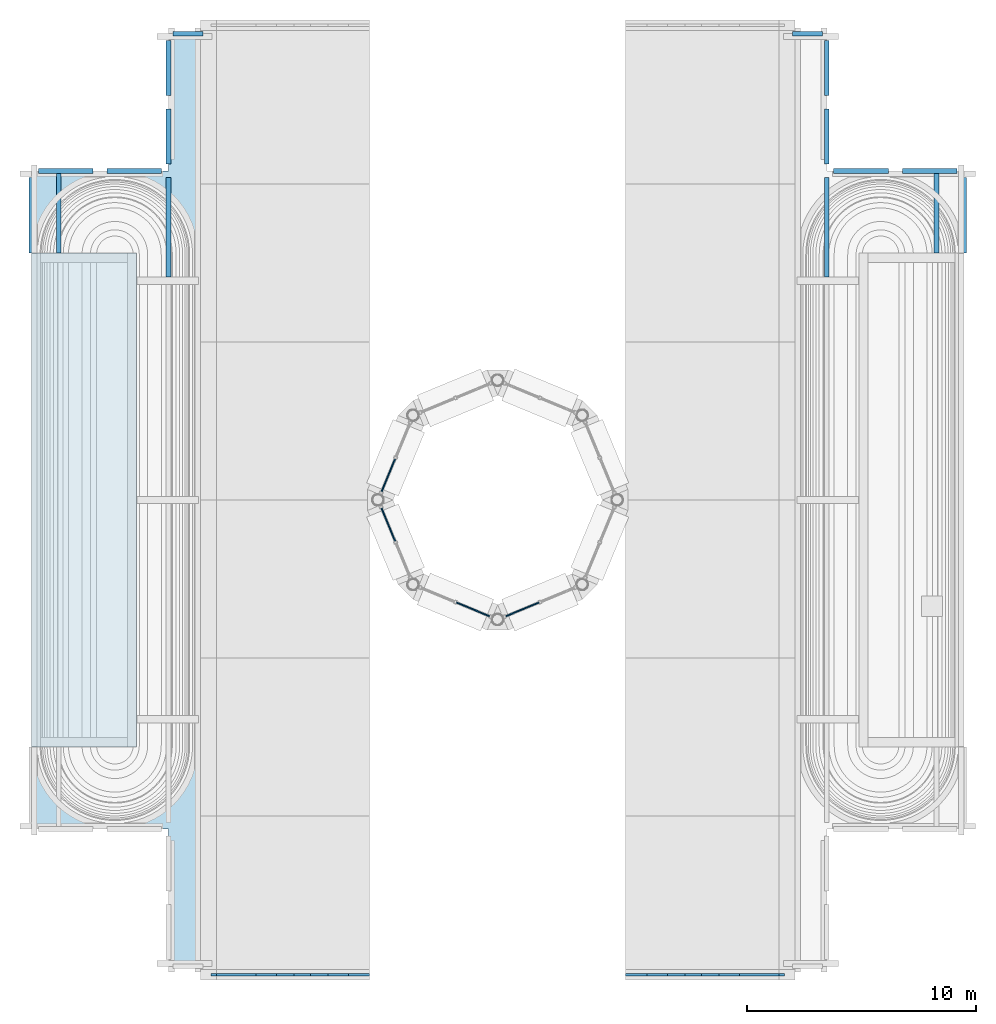
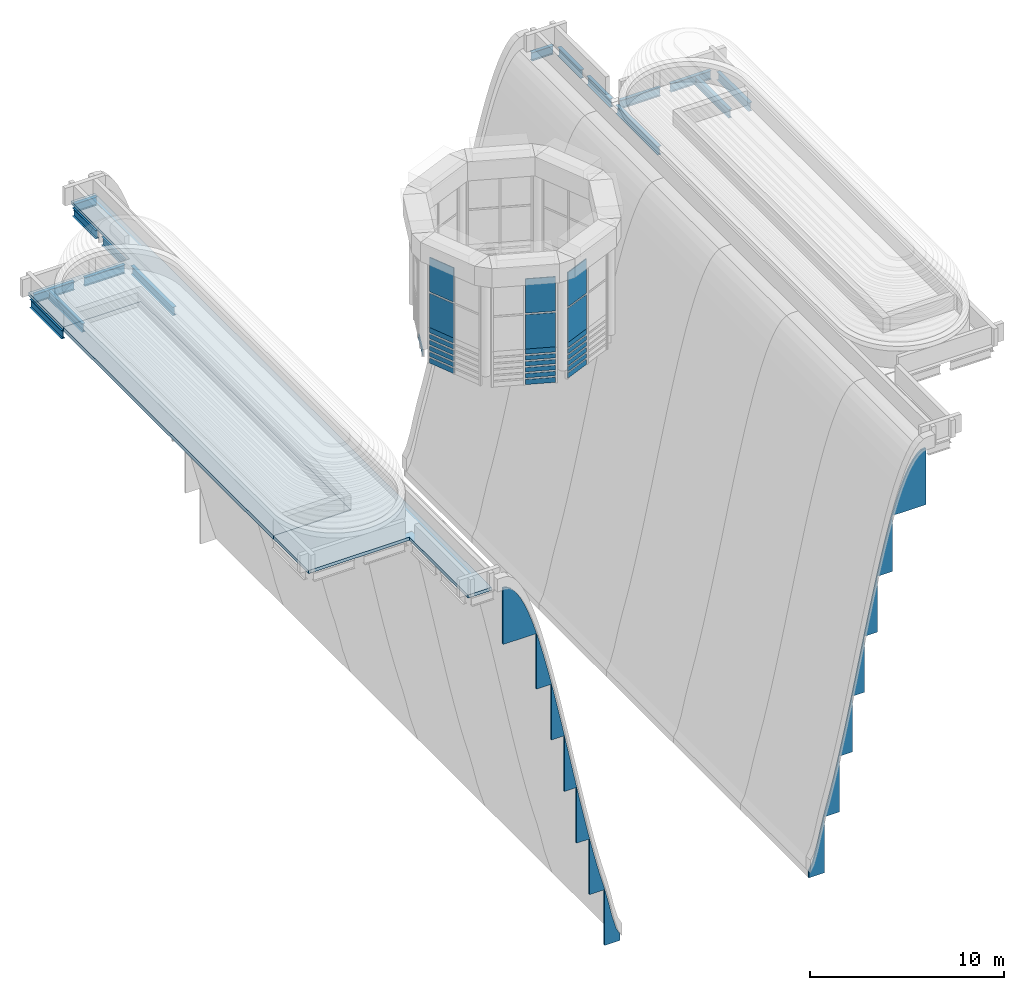
# One storey, part 4 of 14: 39 plates, 16 beams, 2 slabs, 7 elements without a shape of their own.
"""IFC4 building model written with IfcOpenShell, lengths in metres."""

from ifc_helpers import new_model, si_unit, direction, frame, origin, origin_2d, place, context, subcontext, project, spatial, polyline, rectangle, i_section, outline, extrude, material, layer, layer_set, material_profile, profile_set, type_object, element, aggregate, save


model = new_model("IFC4")

# Units and contexts
model_context = context("Model", 3, precision=1e-05, world=origin(), true_north=direction((0.0, 1.0)))
body_context = subcontext(model_context, "Body", "Model", "MODEL_VIEW")
ifc_project = project(units=[si_unit("LENGTHUNIT", "METRE"), si_unit("AREAUNIT", "SQUARE_METRE"), si_unit("VOLUMEUNIT", "CUBIC_METRE"), si_unit("PLANEANGLEUNIT", "RADIAN"), si_unit("MASSUNIT", "GRAM", prefix="KILO")], contexts=[model_context])

# Site, building, storey
site_placement = place(None, origin())
site = spatial("IfcSite", under=ifc_project, at=site_placement, CompositionType="ELEMENT")
building_placement = place(site_placement, origin())
building = spatial("IfcBuilding", under=site, at=building_placement, Name="Cobrizo Arcos Hotel Tower", CompositionType="ELEMENT")
storey_placement = place(building_placement, frame((0.0, 0.0, 290.0)))
storey = spatial("IfcBuildingStorey", under=building, at=storey_placement, Name="RF", CompositionType="ELEMENT", Elevation=290.0)

# Beams
ifc_material_1 = material(Name="Steel ASTM A992 Grade 50", Category="steel")
ifc_material_profile_1 = material_profile(ifc_material_1, i_section(OverallWidth=0.209228515625, OverallDepth=0.533447265625, WebThickness=0.01025390625, FlangeThickness=0.015625, at=origin_2d()), Name="W21X62")
ifc_profile_set_1 = profile_set([ifc_material_profile_1], Name="Steel ASTM A992 Grade 50")
beam_type_1 = type_object("IfcBeamType", Name="W21X62 joist", PredefinedType="JOIST", material=ifc_profile_set_1)
beam_1_placement = place(storey_placement, frame((-19.199951171875, 10.81005859375, -0.466796875), z_axis=(0.0, 1.0, 0.0), x_axis=(-1.0, 0.0, 0.0)))
element("IfcBeam", 1, at=beam_1_placement, inside=storey, type_object=beam_type_1, Name="Floor joist J1, RF, no. 002", PredefinedType="JOIST", context=body_context, shape_type="SweptSolid", body=[
    extrude(i_section(OverallWidth=0.209228515625, OverallDepth=0.533447265625, WebThickness=0.01025390625, FlangeThickness=0.015625, at=origin_2d()), origin(), (0.0, 0.0, 1.0), 3.5),
])
for number, where, z_axis, x_axis, name in (
    (2, (-14.39990234375, 9.763916015625, -0.466796875), (0.0, 1.0, 0.0), (-1.0, 0.0, 0.0), "Floor joist J1, RF, no. 006"),
    (3, (14.39990234375, 9.763916015625, -0.466796875), (0.0, 1.0, 0.0), (-1.0, 0.0, 0.0), "Floor joist J1, RF, no. 010"),
):
    element("IfcBeam", number, at=place(storey_placement, frame(where, z_axis=z_axis, x_axis=x_axis)), inside=storey, type_object=beam_type_1, Name=name, PredefinedType="JOIST", context=body_context, shape_type="SweptSolid", body=[
        extrude(i_section(OverallWidth=0.209228515625, OverallDepth=0.533447265625, WebThickness=0.01025390625, FlangeThickness=0.015625, at=origin_2d()), origin(), (0.0, 0.0, 1.0), 4.336181640625),
    ])
beam_2_placement = place(storey_placement, frame((19.199951171875, 10.81005859375, -0.466796875), z_axis=(0.0, 1.0, 0.0), x_axis=(-1.0, 0.0, 0.0)))
element("IfcBeam", 4, at=beam_2_placement, inside=storey, type_object=beam_type_1, Name="Floor joist J1, RF, no. 012", PredefinedType="JOIST", context=body_context, shape_type="SweptSolid", body=[
    extrude(i_section(OverallWidth=0.209228515625, OverallDepth=0.533447265625, WebThickness=0.01025390625, FlangeThickness=0.015625, at=origin_2d()), origin(), (0.0, 0.0, 1.0), 3.5),
])
ifc_material_profile_2 = material_profile(ifc_material_1, i_section(OverallWidth=0.209228515625, OverallDepth=0.533447265625, WebThickness=0.01025390625, FlangeThickness=0.015625, at=origin_2d()), Name="W21X62")
ifc_profile_set_2 = profile_set([ifc_material_profile_2], Name="Steel ASTM A992 Grade 50")
beam_type_2 = type_object("IfcBeamType", Name="W21X62 spandrel", PredefinedType="SPANDREL", material=ifc_profile_set_2)
beam_3_placement = place(storey_placement, frame((-20.39990234375, 10.81005859375, -0.466796875), z_axis=(0.0, 1.0, 0.0), x_axis=(-1.0, 0.0, 0.0)))
element("IfcBeam", 5, at=beam_3_placement, inside=storey, type_object=beam_type_2, Name="Spandrel beam W21X62, RF, no. 004", PredefinedType="SPANDREL", context=body_context, shape_type="SweptSolid", body=[
    extrude(i_section(OverallWidth=0.209228515625, OverallDepth=0.533447265625, WebThickness=0.01025390625, FlangeThickness=0.015625, at=origin_2d()), origin(), (0.0, 0.0, 1.0), 3.2900390625),
])
for number, where, z_axis, x_axis, name in (
    (6, (-20.10009765625, 14.39990234375, -0.466796875), (1.0, 0.0, 0.0), (0.0, 1.0, 0.0), "Spandrel beam W21X62, RF, no. 005"),
    (7, (-17.10009765625, 14.39990234375, -0.466796875), (1.0, 0.0, 0.0), (0.0, 1.0, 0.0), "Spandrel beam W21X62, RF, no. 006"),
    (8, (-14.39990234375, 14.699951171875, -0.466796875), (0.0, 1.0, 0.0), (-1.0, 0.0, 0.0), "Spandrel beam W21X62, RF, no. 007"),
    (9, (-14.39990234375, 17.699951171875, -0.466796875), (0.0, 1.0, 0.0), (-1.0, 0.0, 0.0), "Spandrel beam W21X62, RF, no. 008"),
):
    element("IfcBeam", number, at=place(storey_placement, frame(where, z_axis=z_axis, x_axis=x_axis)), inside=storey, type_object=beam_type_2, Name=name, PredefinedType="SPANDREL", context=body_context, shape_type="SweptSolid", body=[
        extrude(i_section(OverallWidth=0.209228515625, OverallDepth=0.533447265625, WebThickness=0.01025390625, FlangeThickness=0.015625, at=origin_2d()), origin(), (0.0, 0.0, 1.0), 2.400146484375),
    ])
beam_4_placement = place(storey_placement, frame((-14.199951171875, 20.39990234375, -0.466796875), z_axis=(1.0, 0.0, 0.0), x_axis=(0.0, 1.0, 0.0)))
element("IfcBeam", 10, at=beam_4_placement, inside=storey, type_object=beam_type_2, Name="Spandrel beam W21X62, RF, no. 009", PredefinedType="SPANDREL", context=body_context, shape_type="SweptSolid", body=[
    extrude(i_section(OverallWidth=0.209228515625, OverallDepth=0.533447265625, WebThickness=0.01025390625, FlangeThickness=0.015625, at=origin_2d()), origin(), (0.0, 0.0, 1.0), 1.300048828125),
])
for number, where, z_axis, x_axis, name in (
    (11, (14.699951171875, 14.39990234375, -0.466796875), (1.0, 0.0, 0.0), (0.0, 1.0, 0.0), "Spandrel beam W21X62, RF, no. 013"),
    (12, (17.699951171875, 14.39990234375, -0.466796875), (1.0, 0.0, 0.0), (0.0, 1.0, 0.0), "Spandrel beam W21X62, RF, no. 014"),
):
    element("IfcBeam", number, at=place(storey_placement, frame(where, z_axis=z_axis, x_axis=x_axis)), inside=storey, type_object=beam_type_2, Name=name, PredefinedType="SPANDREL", context=body_context, shape_type="SweptSolid", body=[
        extrude(i_section(OverallWidth=0.209228515625, OverallDepth=0.533447265625, WebThickness=0.01025390625, FlangeThickness=0.015625, at=origin_2d()), origin(), (0.0, 0.0, 1.0), 2.400146484375),
    ])
beam_5_placement = place(storey_placement, frame((20.39990234375, 14.10009765625, -0.466796875), z_axis=(0.0, -1.0, 0.0), x_axis=(1.0, 0.0, 0.0)))
element("IfcBeam", 13, at=beam_5_placement, inside=storey, type_object=beam_type_2, Name="Spandrel beam W21X62, RF, no. 015", PredefinedType="SPANDREL", context=body_context, shape_type="SweptSolid", body=[
    extrude(i_section(OverallWidth=0.209228515625, OverallDepth=0.533447265625, WebThickness=0.01025390625, FlangeThickness=0.015625, at=origin_2d()), origin(), (0.0, 0.0, 1.0), 3.2900390625),
])
beam_6_placement = place(storey_placement, frame((12.89990234375, 20.39990234375, -0.466796875), z_axis=(1.0, 0.0, 0.0), x_axis=(0.0, 1.0, 0.0)))
element("IfcBeam", 14, at=beam_6_placement, inside=storey, type_object=beam_type_2, Name="Spandrel beam W21X62, RF, no. 022", PredefinedType="SPANDREL", context=body_context, shape_type="SweptSolid", body=[
    extrude(i_section(OverallWidth=0.209228515625, OverallDepth=0.533447265625, WebThickness=0.01025390625, FlangeThickness=0.015625, at=origin_2d()), origin(), (0.0, 0.0, 1.0), 1.300048828125),
])
for number, where, z_axis, x_axis, name in (
    (15, (14.39990234375, 20.10009765625, -0.466796875), (0.0, -1.0, 0.0), (1.0, 0.0, 0.0), "Spandrel beam W21X62, RF, no. 023"),
    (16, (14.39990234375, 17.10009765625, -0.466796875), (0.0, -1.0, 0.0), (1.0, 0.0, 0.0), "Spandrel beam W21X62, RF, no. 024"),
):
    element("IfcBeam", number, at=place(storey_placement, frame(where, z_axis=z_axis, x_axis=x_axis)), inside=storey, type_object=beam_type_2, Name=name, PredefinedType="SPANDREL", context=body_context, shape_type="SweptSolid", body=[
        extrude(i_section(OverallWidth=0.209228515625, OverallDepth=0.533447265625, WebThickness=0.01025390625, FlangeThickness=0.015625, at=origin_2d()), origin(), (0.0, 0.0, 1.0), 2.400146484375),
    ])

# Plates
ifc_material_2 = material(Name="Glass clear laminated low-e", Category="glass")
ifc_layer_1 = layer(ifc_material_2, 0.10009765625)
ifc_layer_set_1 = layer_set([ifc_layer_1], Name="CB-5 crown cheek glazing 100")
plate_type_1 = type_object("IfcPlateType", Name="CB-5 crown cheek glazing 100", PredefinedType="SHEET", material=ifc_layer_set_1)
plate_1_placement = place(storey_placement, frame((0.0, -20.824951171875, -24.5), z_axis=(0.0, 1.0, 0.0), x_axis=(-1.0, 0.0, 0.0)))
element("IfcPlate", 17, at=plate_1_placement, inside=storey, type_object=plate_type_1, Name="Crown cheek glazing WS0", PredefinedType="SHEET", context=body_context, shape_type="SweptSolid", body=[
    extrude(outline(polyline([(6.52392578125, 0.0), (6.52392578125, 3.56005859375), (6.29296875, 2.63818359375), (6.06201171875, 1.612548828125), (5.8310546875, 0.824951171875), (5.60009765625, 0.3984375), (5.60009765625, 0.0), (6.52392578125, 0.0)])), origin(), (0.0, 0.0, 1.0), 0.099853515625),
])
plate_2_placement = place(storey_placement, frame((0.0, -20.824951171875, -24.5), z_axis=(0.0, 1.0, 0.0), x_axis=(-1.0, 0.0, 0.0)))
element("IfcPlate", 18, at=plate_2_placement, inside=storey, type_object=plate_type_1, Name="Crown cheek glazing WS1", PredefinedType="SHEET", context=body_context, shape_type="SweptSolid", body=[
    extrude(outline(polyline([(7.422119140625, 3.5), (7.422119140625, 7.06005859375), (7.197509765625, 6.105712890625), (6.97314453125, 5.19970703125), (6.74853515625, 4.348876953125), (6.52392578125, 3.56005859375), (6.52392578125, 3.5), (7.422119140625, 3.5)])), origin(), (0.0, 0.0, 1.0), 0.099853515625),
])
plate_3_placement = place(storey_placement, frame((0.0, -20.824951171875, -24.5), z_axis=(0.0, 1.0, 0.0), x_axis=(-1.0, 0.0, 0.0)))
element("IfcPlate", 19, at=plate_3_placement, inside=storey, type_object=plate_type_1, Name="Crown cheek glazing WS2", PredefinedType="SHEET", context=body_context, shape_type="SweptSolid", body=[
    extrude(outline(polyline([(8.18505859375, 7.0), (8.18505859375, 10.56005859375), (7.9306640625, 9.360107421875), (7.676513671875, 8.189453125), (7.422119140625, 7.06005859375), (7.422119140625, 7.0), (8.18505859375, 7.0)])), origin(), (0.0, 0.0, 1.0), 0.099853515625),
])
plate_4_placement = place(storey_placement, frame((0.0, -20.824951171875, -24.5), z_axis=(0.0, 1.0, 0.0), x_axis=(-1.0, 0.0, 0.0)))
element("IfcPlate", 20, at=plate_4_placement, inside=storey, type_object=plate_type_1, Name="Crown cheek glazing WS3", PredefinedType="SHEET", context=body_context, shape_type="SweptSolid", body=[
    extrude(outline(polyline([(8.9150390625, 10.5), (8.9150390625, 14.06005859375), (8.671630859375, 12.895263671875), (8.42822265625, 11.724853515625), (8.18505859375, 10.56005859375), (8.18505859375, 10.5), (8.9150390625, 10.5)])), origin(), (0.0, 0.0, 1.0), 0.099853515625),
])
plate_5_placement = place(storey_placement, frame((0.0, -20.824951171875, -24.5), z_axis=(0.0, 1.0, 0.0), x_axis=(-1.0, 0.0, 0.0)))
element("IfcPlate", 21, at=plate_5_placement, inside=storey, type_object=plate_type_1, Name="Crown cheek glazing WS4", PredefinedType="SHEET", context=body_context, shape_type="SweptSolid", body=[
    extrude(outline(polyline([(9.677978515625, 14.0), (9.677978515625, 17.56005859375), (9.423583984375, 16.4306640625), (9.169189453125, 15.260009765625), (8.9150390625, 14.06005859375), (8.9150390625, 14.0), (9.677978515625, 14.0)])), origin(), (0.0, 0.0, 1.0), 0.099853515625),
])
plate_6_placement = place(storey_placement, frame((0.0, -20.824951171875, -24.5), z_axis=(0.0, 1.0, 0.0), x_axis=(-1.0, 0.0, 0.0)))
element("IfcPlate", 22, at=plate_6_placement, inside=storey, type_object=plate_type_1, Name="Crown cheek glazing WS5", PredefinedType="SHEET", context=body_context, shape_type="SweptSolid", body=[
    extrude(outline(polyline([(10.575927734375, 17.5), (10.575927734375, 21.06005859375), (10.3515625, 20.271240234375), (10.126953125, 19.420654296875), (9.90234375, 18.514404296875), (9.677978515625, 17.56005859375), (9.677978515625, 17.5), (10.575927734375, 17.5)])), origin(), (0.0, 0.0, 1.0), 0.099853515625),
])
plate_7_placement = place(storey_placement, frame((0.0, -20.824951171875, -24.5), z_axis=(0.0, 1.0, 0.0), x_axis=(-1.0, 0.0, 0.0)))
element("IfcPlate", 23, at=plate_7_placement, inside=storey, type_object=plate_type_1, Name="Crown cheek glazing WS6", PredefinedType="SHEET", context=body_context, shape_type="SweptSolid", body=[
    extrude(outline(polyline([(12.550048828125, 21.0), (12.550048828125, 24.56005859375), (12.30322265625, 24.502685546875), (12.056396484375, 24.330810546875), (11.809814453125, 24.046142578125), (11.56298828125, 23.6513671875), (11.31640625, 23.150390625), (11.069580078125, 22.54736328125), (10.82275390625, 21.8486328125), (10.575927734375, 21.06005859375), (10.575927734375, 21.0), (12.550048828125, 21.0)])), origin(), (0.0, 0.0, 1.0), 0.099853515625),
])
plate_8_placement = place(storey_placement, frame((0.0, -20.824951171875, -24.5), z_axis=(0.0, 1.0, 0.0), x_axis=(-1.0, 0.0, 0.0)))
element("IfcPlate", 24, at=plate_8_placement, inside=storey, type_object=plate_type_1, Name="Crown cheek glazing ES0", PredefinedType="SHEET", context=body_context, shape_type="SweptSolid", body=[
    extrude(outline(polyline([(-5.60009765625, 0.0), (-5.60009765625, 0.3984375), (-5.8310546875, 0.824951171875), (-6.06201171875, 1.612548828125), (-6.29296875, 2.63818359375), (-6.52392578125, 3.56005859375), (-6.52392578125, 0.0), (-5.60009765625, 0.0)])), origin(), (0.0, 0.0, 1.0), 0.099853515625),
])
plate_9_placement = place(storey_placement, frame((0.0, -20.824951171875, -24.5), z_axis=(0.0, 1.0, 0.0), x_axis=(-1.0, 0.0, 0.0)))
element("IfcPlate", 25, at=plate_9_placement, inside=storey, type_object=plate_type_1, Name="Crown cheek glazing ES1", PredefinedType="SHEET", context=body_context, shape_type="SweptSolid", body=[
    extrude(outline(polyline([(-6.52392578125, 3.5), (-6.52392578125, 3.56005859375), (-6.74853515625, 4.348876953125), (-6.97314453125, 5.19970703125), (-7.197509765625, 6.105712890625), (-7.422119140625, 7.06005859375), (-7.422119140625, 3.5), (-6.52392578125, 3.5)])), origin(), (0.0, 0.0, 1.0), 0.099853515625),
])
plate_10_placement = place(storey_placement, frame((0.0, -20.824951171875, -24.5), z_axis=(0.0, 1.0, 0.0), x_axis=(-1.0, 0.0, 0.0)))
element("IfcPlate", 26, at=plate_10_placement, inside=storey, type_object=plate_type_1, Name="Crown cheek glazing ES2", PredefinedType="SHEET", context=body_context, shape_type="SweptSolid", body=[
    extrude(outline(polyline([(-7.422119140625, 7.0), (-7.422119140625, 7.06005859375), (-7.676513671875, 8.189453125), (-7.9306640625, 9.360107421875), (-8.18505859375, 10.56005859375), (-8.18505859375, 7.0), (-7.422119140625, 7.0)])), origin(), (0.0, 0.0, 1.0), 0.099853515625),
])
plate_11_placement = place(storey_placement, frame((0.0, -20.824951171875, -24.5), z_axis=(0.0, 1.0, 0.0), x_axis=(-1.0, 0.0, 0.0)))
element("IfcPlate", 27, at=plate_11_placement, inside=storey, type_object=plate_type_1, Name="Crown cheek glazing ES3", PredefinedType="SHEET", context=body_context, shape_type="SweptSolid", body=[
    extrude(outline(polyline([(-8.18505859375, 10.5), (-8.18505859375, 10.56005859375), (-8.42822265625, 11.724853515625), (-8.671630859375, 12.895263671875), (-8.9150390625, 14.06005859375), (-8.9150390625, 10.5), (-8.18505859375, 10.5)])), origin(), (0.0, 0.0, 1.0), 0.099853515625),
])
plate_12_placement = place(storey_placement, frame((0.0, -20.824951171875, -24.5), z_axis=(0.0, 1.0, 0.0), x_axis=(-1.0, 0.0, 0.0)))
element("IfcPlate", 28, at=plate_12_placement, inside=storey, type_object=plate_type_1, Name="Crown cheek glazing ES4", PredefinedType="SHEET", context=body_context, shape_type="SweptSolid", body=[
    extrude(outline(polyline([(-8.9150390625, 14.0), (-8.9150390625, 14.06005859375), (-9.169189453125, 15.260009765625), (-9.423583984375, 16.4306640625), (-9.677978515625, 17.56005859375), (-9.677978515625, 14.0), (-8.9150390625, 14.0)])), origin(), (0.0, 0.0, 1.0), 0.099853515625),
])
plate_13_placement = place(storey_placement, frame((0.0, -20.824951171875, -24.5), z_axis=(0.0, 1.0, 0.0), x_axis=(-1.0, 0.0, 0.0)))
element("IfcPlate", 29, at=plate_13_placement, inside=storey, type_object=plate_type_1, Name="Crown cheek glazing ES5", PredefinedType="SHEET", context=body_context, shape_type="SweptSolid", body=[
    extrude(outline(polyline([(-9.677978515625, 17.5), (-9.677978515625, 17.56005859375), (-9.90234375, 18.514404296875), (-10.126953125, 19.420654296875), (-10.3515625, 20.271240234375), (-10.575927734375, 21.06005859375), (-10.575927734375, 17.5), (-9.677978515625, 17.5)])), origin(), (0.0, 0.0, 1.0), 0.099853515625),
])
plate_14_placement = place(storey_placement, frame((0.0, -20.824951171875, -24.5), z_axis=(0.0, 1.0, 0.0), x_axis=(-1.0, 0.0, 0.0)))
element("IfcPlate", 30, at=plate_14_placement, inside=storey, type_object=plate_type_1, Name="Crown cheek glazing ES6", PredefinedType="SHEET", context=body_context, shape_type="SweptSolid", body=[
    extrude(outline(polyline([(-10.575927734375, 21.0), (-10.575927734375, 21.06005859375), (-10.82275390625, 21.8486328125), (-11.069580078125, 22.54736328125), (-11.31640625, 23.150390625), (-11.56298828125, 23.6513671875), (-11.809814453125, 24.046142578125), (-12.056396484375, 24.330810546875), (-12.30322265625, 24.502685546875), (-12.550048828125, 24.56005859375), (-12.550048828125, 21.0), (-10.575927734375, 21.0)])), origin(), (0.0, 0.0, 1.0), 0.099853515625),
])

# Curtain wall, plates
ifc_material_3 = material(Name="Aluminium 6063-T6 anodised bronze", Category="aluminium")
curtain_wall_type = type_object("IfcCurtainWallType", Name="CW-D plant louvre wall", PredefinedType="NOTDEFINED", material=ifc_material_3)
curtain_wall_1_placement = place(storey_placement, origin())
curtain_wall_1 = element("IfcCurtainWall", 31, at=curtain_wall_1_placement, inside=storey, type_object=curtain_wall_type, Name="CW-D drum louvre wall t3L-5", PredefinedType="NOTDEFINED")
ifc_layer_2 = layer(ifc_material_2, 0.0400390625)
ifc_layer_set_2 = layer_set([ifc_layer_2], Name="CW-D glass panel")
plate_type_2 = type_object("IfcPlateType", Name="CW-D glass panel", PredefinedType="CURTAIN_PANEL", material=ifc_layer_set_2)
plate_15_placement = place(storey_placement, frame((-4.785400390625, -1.079345703125, 1.400146484375), z_axis=(0.0, 0.0, 1.0), x_axis=(0.382683432365, -0.923879532511, 0.0)))
plate_15 = element("IfcPlate", 32, at=plate_15_placement, type_object=plate_type_2, Name="CW-D louvre panel 1-0", PredefinedType="CURTAIN_PANEL", context=body_context, shape_type="SweptSolid", body=[
    extrude(rectangle(XDim=1.568359375, YDim=0.06005859375, at=origin_2d()), origin(), (0.0, 0.0, 1.0), 2.14990234375),
])
plate_16_placement = place(storey_placement, frame((-4.785400390625, -1.079345703125, 3.650146484375), z_axis=(0.0, 0.0, 1.0), x_axis=(0.382683432365, -0.923879532511, 0.0)))
plate_16 = element("IfcPlate", 33, at=plate_16_placement, type_object=plate_type_2, Name="CW-D louvre panel 1-1", PredefinedType="CURTAIN_PANEL", context=body_context, shape_type="SweptSolid", body=[
    extrude(rectangle(XDim=1.568359375, YDim=0.06005859375, at=origin_2d()), origin(), (0.0, 0.0, 1.0), 2.14990234375),
])
aggregate(curtain_wall_1, [plate_15, plate_16])

curtain_wall_2_placement = place(storey_placement, origin())
curtain_wall_2 = element("IfcCurtainWall", 34, at=curtain_wall_2_placement, inside=storey, type_object=curtain_wall_type, Name="CW-D drum louvre wall t3L-6", PredefinedType="NOTDEFINED")
plate_17_placement = place(storey_placement, frame((-1.079345703125, -4.785400390625, 1.400146484375), z_axis=(0.0, 0.0, 1.0), x_axis=(0.923879532511, -0.382683432365, 0.0)))
plate_17 = element("IfcPlate", 35, at=plate_17_placement, type_object=plate_type_2, Name="CW-D louvre panel 2-0", PredefinedType="CURTAIN_PANEL", context=body_context, shape_type="SweptSolid", body=[
    extrude(rectangle(XDim=1.568359375, YDim=0.06005859375, at=origin_2d()), origin(), (0.0, 0.0, 1.0), 2.14990234375),
])
plate_18_placement = place(storey_placement, frame((-1.079345703125, -4.785400390625, 3.650146484375), z_axis=(0.0, 0.0, 1.0), x_axis=(0.923879532511, -0.382683432365, 0.0)))
plate_18 = element("IfcPlate", 36, at=plate_18_placement, type_object=plate_type_2, Name="CW-D louvre panel 2-1", PredefinedType="CURTAIN_PANEL", context=body_context, shape_type="SweptSolid", body=[
    extrude(rectangle(XDim=1.568359375, YDim=0.06005859375, at=origin_2d()), origin(), (0.0, 0.0, 1.0), 2.14990234375),
])
aggregate(curtain_wall_2, [plate_17, plate_18])

curtain_wall_3_placement = place(storey_placement, origin())
curtain_wall_3 = element("IfcCurtainWall", 37, at=curtain_wall_3_placement, inside=storey, type_object=curtain_wall_type, Name="CW-D drum louvre wall t3L-7", PredefinedType="NOTDEFINED")
plate_19_placement = place(storey_placement, frame((1.079345703125, -4.785400390625, 1.400146484375), z_axis=(0.0, 0.0, 1.0), x_axis=(0.923879532511, 0.382683432365, 0.0)))
plate_19 = element("IfcPlate", 38, at=plate_19_placement, type_object=plate_type_2, Name="CW-D louvre panel 1-0", PredefinedType="CURTAIN_PANEL", context=body_context, shape_type="SweptSolid", body=[
    extrude(rectangle(XDim=1.568359375, YDim=0.06005859375, at=origin_2d()), origin(), (0.0, 0.0, 1.0), 2.14990234375),
])
plate_20_placement = place(storey_placement, frame((1.079345703125, -4.785400390625, 3.650146484375), z_axis=(0.0, 0.0, 1.0), x_axis=(0.923879532511, 0.382683432365, 0.0)))
plate_20 = element("IfcPlate", 39, at=plate_20_placement, type_object=plate_type_2, Name="CW-D louvre panel 1-1", PredefinedType="CURTAIN_PANEL", context=body_context, shape_type="SweptSolid", body=[
    extrude(rectangle(XDim=1.568359375, YDim=0.06005859375, at=origin_2d()), origin(), (0.0, 0.0, 1.0), 2.14990234375),
])
aggregate(curtain_wall_3, [plate_19, plate_20])

# Curtain wall, plate
curtain_wall_4_placement = place(storey_placement, origin())
curtain_wall_4 = element("IfcCurtainWall", 40, at=curtain_wall_4_placement, inside=storey, type_object=curtain_wall_type, Name="CW-D drum louvre wall t3-4", PredefinedType="NOTDEFINED")
ifc_material_4 = material(Name="Aluminium composite panel pale metal", Category="aluminium")
ifc_layer_3 = layer(ifc_material_4, 0.06005859375)
ifc_layer_set_3 = layer_set([ifc_layer_3], Name="CW-D spandrel panel")
plate_type_3 = type_object("IfcPlateType", Name="CW-D spandrel panel", PredefinedType="CURTAIN_PANEL", material=ifc_layer_set_3)
plate_21_placement = place(storey_placement, frame((-4.785400390625, 1.079345703125, -0.833251953125), z_axis=(0.0, 0.0, 1.0), x_axis=(-0.382683432365, -0.923879532511, 0.0)))
plate_21 = element("IfcPlate", 41, at=plate_21_placement, type_object=plate_type_3, Name="CW-D louvre panel 2-0", PredefinedType="CURTAIN_PANEL", context=body_context, shape_type="SweptSolid", body=[
    extrude(rectangle(XDim=1.568359375, YDim=0.06005859375, at=origin_2d()), origin(), (0.0, 0.0, 1.0), 0.322265625),
])
aggregate(curtain_wall_4, [plate_21])

# Curtain wall, plates
curtain_wall_5_placement = place(storey_placement, origin())
curtain_wall_5 = element("IfcCurtainWall", 42, at=curtain_wall_5_placement, inside=storey, type_object=curtain_wall_type, Name="CW-D drum louvre wall t3-5", PredefinedType="NOTDEFINED")
plate_22_placement = place(storey_placement, frame((-4.785400390625, -1.079345703125, -0.833251953125), z_axis=(0.0, 0.0, 1.0), x_axis=(0.382683432365, -0.923879532511, 0.0)))
plate_22 = element("IfcPlate", 43, at=plate_22_placement, type_object=plate_type_3, Name="CW-D louvre panel 1-0", PredefinedType="CURTAIN_PANEL", context=body_context, shape_type="SweptSolid", body=[
    extrude(rectangle(XDim=1.568359375, YDim=0.06005859375, at=origin_2d()), origin(), (0.0, 0.0, 1.0), 0.322265625),
])
plate_23_placement = place(storey_placement, frame((-4.785400390625, -1.079345703125, -0.4111328125), z_axis=(0.0, 0.0, 1.0), x_axis=(0.382683432365, -0.923879532511, 0.0)))
plate_23 = element("IfcPlate", 44, at=plate_23_placement, type_object=plate_type_3, Name="CW-D louvre panel 1-1", PredefinedType="CURTAIN_PANEL", context=body_context, shape_type="SweptSolid", body=[
    extrude(rectangle(XDim=1.568359375, YDim=0.06005859375, at=origin_2d()), origin(), (0.0, 0.0, 1.0), 0.272216796875),
])
plate_24_placement = place(storey_placement, frame((-4.785400390625, -1.079345703125, -0.0390625), z_axis=(0.0, 0.0, 1.0), x_axis=(0.382683432365, -0.923879532511, 0.0)))
plate_24 = element("IfcPlate", 45, at=plate_24_placement, type_object=plate_type_3, Name="CW-D louvre panel 1-2", PredefinedType="CURTAIN_PANEL", context=body_context, shape_type="SweptSolid", body=[
    extrude(rectangle(XDim=1.568359375, YDim=0.06005859375, at=origin_2d()), origin(), (0.0, 0.0, 1.0), 0.272216796875),
])
plate_25_placement = place(storey_placement, frame((-4.785400390625, -1.079345703125, 0.33349609375), z_axis=(0.0, 0.0, 1.0), x_axis=(0.382683432365, -0.923879532511, 0.0)))
plate_25 = element("IfcPlate", 46, at=plate_25_placement, type_object=plate_type_3, Name="CW-D louvre panel 1-3", PredefinedType="CURTAIN_PANEL", context=body_context, shape_type="SweptSolid", body=[
    extrude(rectangle(XDim=1.568359375, YDim=0.06005859375, at=origin_2d()), origin(), (0.0, 0.0, 1.0), 0.272216796875),
])
plate_26_placement = place(storey_placement, frame((-4.785400390625, -1.079345703125, 0.70556640625), z_axis=(0.0, 0.0, 1.0), x_axis=(0.382683432365, -0.923879532511, 0.0)))
plate_26 = element("IfcPlate", 47, at=plate_26_placement, type_object=plate_type_3, Name="CW-D louvre panel 1-4", PredefinedType="CURTAIN_PANEL", context=body_context, shape_type="SweptSolid", body=[
    extrude(rectangle(XDim=1.568359375, YDim=0.06005859375, at=origin_2d()), origin(), (0.0, 0.0, 1.0), 0.272216796875),
])
plate_27_placement = place(storey_placement, frame((-4.785400390625, -1.079345703125, 1.077880859375), z_axis=(0.0, 0.0, 1.0), x_axis=(0.382683432365, -0.923879532511, 0.0)))
plate_27 = element("IfcPlate", 48, at=plate_27_placement, type_object=plate_type_3, Name="CW-D louvre panel 1-5", PredefinedType="CURTAIN_PANEL", context=body_context, shape_type="SweptSolid", body=[
    extrude(rectangle(XDim=1.568359375, YDim=0.06005859375, at=origin_2d()), origin(), (0.0, 0.0, 1.0), 0.322265625),
])
aggregate(curtain_wall_5, [plate_22, plate_23, plate_24, plate_25, plate_26, plate_27])

curtain_wall_6_placement = place(storey_placement, origin())
curtain_wall_6 = element("IfcCurtainWall", 49, at=curtain_wall_6_placement, inside=storey, type_object=curtain_wall_type, Name="CW-D drum louvre wall t3-6", PredefinedType="NOTDEFINED")
plate_28_placement = place(storey_placement, frame((-1.079345703125, -4.785400390625, -0.833251953125), z_axis=(0.0, 0.0, 1.0), x_axis=(0.923879532511, -0.382683432365, 0.0)))
plate_28 = element("IfcPlate", 50, at=plate_28_placement, type_object=plate_type_3, Name="CW-D louvre panel 2-0", PredefinedType="CURTAIN_PANEL", context=body_context, shape_type="SweptSolid", body=[
    extrude(rectangle(XDim=1.568359375, YDim=0.06005859375, at=origin_2d()), origin(), (0.0, 0.0, 1.0), 0.322265625),
])
plate_29_placement = place(storey_placement, frame((-1.079345703125, -4.785400390625, -0.4111328125), z_axis=(0.0, 0.0, 1.0), x_axis=(0.923879532511, -0.382683432365, 0.0)))
plate_29 = element("IfcPlate", 51, at=plate_29_placement, type_object=plate_type_3, Name="CW-D louvre panel 2-1", PredefinedType="CURTAIN_PANEL", context=body_context, shape_type="SweptSolid", body=[
    extrude(rectangle(XDim=1.568359375, YDim=0.06005859375, at=origin_2d()), origin(), (0.0, 0.0, 1.0), 0.272216796875),
])
plate_30_placement = place(storey_placement, frame((-1.079345703125, -4.785400390625, -0.0390625), z_axis=(0.0, 0.0, 1.0), x_axis=(0.923879532511, -0.382683432365, 0.0)))
plate_30 = element("IfcPlate", 52, at=plate_30_placement, type_object=plate_type_3, Name="CW-D louvre panel 2-2", PredefinedType="CURTAIN_PANEL", context=body_context, shape_type="SweptSolid", body=[
    extrude(rectangle(XDim=1.568359375, YDim=0.06005859375, at=origin_2d()), origin(), (0.0, 0.0, 1.0), 0.272216796875),
])
plate_31_placement = place(storey_placement, frame((-1.079345703125, -4.785400390625, 0.33349609375), z_axis=(0.0, 0.0, 1.0), x_axis=(0.923879532511, -0.382683432365, 0.0)))
plate_31 = element("IfcPlate", 53, at=plate_31_placement, type_object=plate_type_3, Name="CW-D louvre panel 2-3", PredefinedType="CURTAIN_PANEL", context=body_context, shape_type="SweptSolid", body=[
    extrude(rectangle(XDim=1.568359375, YDim=0.06005859375, at=origin_2d()), origin(), (0.0, 0.0, 1.0), 0.272216796875),
])
plate_32_placement = place(storey_placement, frame((-1.079345703125, -4.785400390625, 0.70556640625), z_axis=(0.0, 0.0, 1.0), x_axis=(0.923879532511, -0.382683432365, 0.0)))
plate_32 = element("IfcPlate", 54, at=plate_32_placement, type_object=plate_type_3, Name="CW-D louvre panel 2-4", PredefinedType="CURTAIN_PANEL", context=body_context, shape_type="SweptSolid", body=[
    extrude(rectangle(XDim=1.568359375, YDim=0.06005859375, at=origin_2d()), origin(), (0.0, 0.0, 1.0), 0.272216796875),
])
plate_33_placement = place(storey_placement, frame((-1.079345703125, -4.785400390625, 1.077880859375), z_axis=(0.0, 0.0, 1.0), x_axis=(0.923879532511, -0.382683432365, 0.0)))
plate_33 = element("IfcPlate", 55, at=plate_33_placement, type_object=plate_type_3, Name="CW-D louvre panel 2-5", PredefinedType="CURTAIN_PANEL", context=body_context, shape_type="SweptSolid", body=[
    extrude(rectangle(XDim=1.568359375, YDim=0.06005859375, at=origin_2d()), origin(), (0.0, 0.0, 1.0), 0.322265625),
])
aggregate(curtain_wall_6, [plate_28, plate_29, plate_30, plate_31, plate_32, plate_33])

curtain_wall_7_placement = place(storey_placement, origin())
curtain_wall_7 = element("IfcCurtainWall", 56, at=curtain_wall_7_placement, inside=storey, type_object=curtain_wall_type, Name="CW-D drum louvre wall t3-7", PredefinedType="NOTDEFINED")
plate_34_placement = place(storey_placement, frame((1.079345703125, -4.785400390625, -0.833251953125), z_axis=(0.0, 0.0, 1.0), x_axis=(0.923879532511, 0.382683432365, 0.0)))
plate_34 = element("IfcPlate", 57, at=plate_34_placement, type_object=plate_type_3, Name="CW-D louvre panel 1-0", PredefinedType="CURTAIN_PANEL", context=body_context, shape_type="SweptSolid", body=[
    extrude(rectangle(XDim=1.568359375, YDim=0.06005859375, at=origin_2d()), origin(), (0.0, 0.0, 1.0), 0.322265625),
])
plate_35_placement = place(storey_placement, frame((1.079345703125, -4.785400390625, -0.4111328125), z_axis=(0.0, 0.0, 1.0), x_axis=(0.923879532511, 0.382683432365, 0.0)))
plate_35 = element("IfcPlate", 58, at=plate_35_placement, type_object=plate_type_3, Name="CW-D louvre panel 1-1", PredefinedType="CURTAIN_PANEL", context=body_context, shape_type="SweptSolid", body=[
    extrude(rectangle(XDim=1.568359375, YDim=0.06005859375, at=origin_2d()), origin(), (0.0, 0.0, 1.0), 0.272216796875),
])
plate_36_placement = place(storey_placement, frame((1.079345703125, -4.785400390625, -0.0390625), z_axis=(0.0, 0.0, 1.0), x_axis=(0.923879532511, 0.382683432365, 0.0)))
plate_36 = element("IfcPlate", 59, at=plate_36_placement, type_object=plate_type_3, Name="CW-D louvre panel 1-2", PredefinedType="CURTAIN_PANEL", context=body_context, shape_type="SweptSolid", body=[
    extrude(rectangle(XDim=1.568359375, YDim=0.06005859375, at=origin_2d()), origin(), (0.0, 0.0, 1.0), 0.272216796875),
])
plate_37_placement = place(storey_placement, frame((1.079345703125, -4.785400390625, 0.33349609375), z_axis=(0.0, 0.0, 1.0), x_axis=(0.923879532511, 0.382683432365, 0.0)))
plate_37 = element("IfcPlate", 60, at=plate_37_placement, type_object=plate_type_3, Name="CW-D louvre panel 1-3", PredefinedType="CURTAIN_PANEL", context=body_context, shape_type="SweptSolid", body=[
    extrude(rectangle(XDim=1.568359375, YDim=0.06005859375, at=origin_2d()), origin(), (0.0, 0.0, 1.0), 0.272216796875),
])
plate_38_placement = place(storey_placement, frame((1.079345703125, -4.785400390625, 0.70556640625), z_axis=(0.0, 0.0, 1.0), x_axis=(0.923879532511, 0.382683432365, 0.0)))
plate_38 = element("IfcPlate", 61, at=plate_38_placement, type_object=plate_type_3, Name="CW-D louvre panel 1-4", PredefinedType="CURTAIN_PANEL", context=body_context, shape_type="SweptSolid", body=[
    extrude(rectangle(XDim=1.568359375, YDim=0.06005859375, at=origin_2d()), origin(), (0.0, 0.0, 1.0), 0.272216796875),
])
plate_39_placement = place(storey_placement, frame((1.079345703125, -4.785400390625, 1.077880859375), z_axis=(0.0, 0.0, 1.0), x_axis=(0.923879532511, 0.382683432365, 0.0)))
plate_39 = element("IfcPlate", 62, at=plate_39_placement, type_object=plate_type_3, Name="CW-D louvre panel 1-5", PredefinedType="CURTAIN_PANEL", context=body_context, shape_type="SweptSolid", body=[
    extrude(rectangle(XDim=1.568359375, YDim=0.06005859375, at=origin_2d()), origin(), (0.0, 0.0, 1.0), 0.322265625),
])
aggregate(curtain_wall_7, [plate_34, plate_35, plate_36, plate_37, plate_38, plate_39])

# Slabs
ifc_material_5 = material(Name="Concrete f'c 40 MPa", Category="concrete")
ifc_layer_4 = layer(ifc_material_5, 0.25)
ifc_layer_set_4 = layer_set([ifc_layer_4], Name="RC core roof slab 250 f'c 40")
slab_type_1 = type_object("IfcSlabType", Name="RC core roof slab 250 f'c 40", PredefinedType="ROOF", material=ifc_layer_set_4)
slab_1_placement = place(storey_placement, frame((0.0, 0.0, -0.25)))
element("IfcSlab", 63, at=slab_1_placement, inside=storey, type_object=slab_type_1, Name="Core roof slab CR1, west core, RF", PredefinedType="ROOF", context=body_context, shape_type="SweptSolid", body=[
    extrude(outline(polyline([(-15.800048828125, -10.800048828125), (-15.800048828125, 10.800048828125), (-20.39990234375, 10.800048828125), (-20.39990234375, -10.800048828125), (-15.800048828125, -10.800048828125)])), origin(), (0.0, 0.0, 1.0), 0.25),
])
ifc_material_6 = material(Name="Concrete f'c 35 MPa", Category="concrete")
ifc_layer_5 = layer(ifc_material_6, 0.199951171875)
ifc_layer_set_5 = layer_set([ifc_layer_5], Name="RC roof slab 200 f'c 35")
slab_type_2 = type_object("IfcSlabType", Name="RC roof slab 200 f'c 35", PredefinedType="ROOF", material=ifc_layer_set_5)
slab_2_placement = place(storey_placement, frame((0.0, 0.0, -0.199951171875)))
element("IfcSlab", 64, at=slab_2_placement, inside=storey, type_object=slab_type_2, Name="Roof slab RS4, RF, no. 01", PredefinedType="ROOF", context=body_context, shape_type="SweptSolid", body=[
    extrude(outline(polyline([(-14.39990234375, -14.39990234375), (-20.39990234375, -14.39990234375), (-20.39990234375, -10.800048828125), (-15.800048828125, -10.800048828125), (-15.800048828125, 10.800048828125), (-20.39990234375, 10.800048828125), (-20.39990234375, 14.39990234375), (-14.39990234375, 14.39990234375), (-14.39990234375, 20.39990234375), (-13.0, 20.39990234375), (-13.0, -20.39990234375), (-14.39990234375, -20.39990234375), (-14.39990234375, -14.39990234375)])), origin(), (0.0, 0.0, 1.0), 0.199951171875),
])

save(model, "model.ifc")
